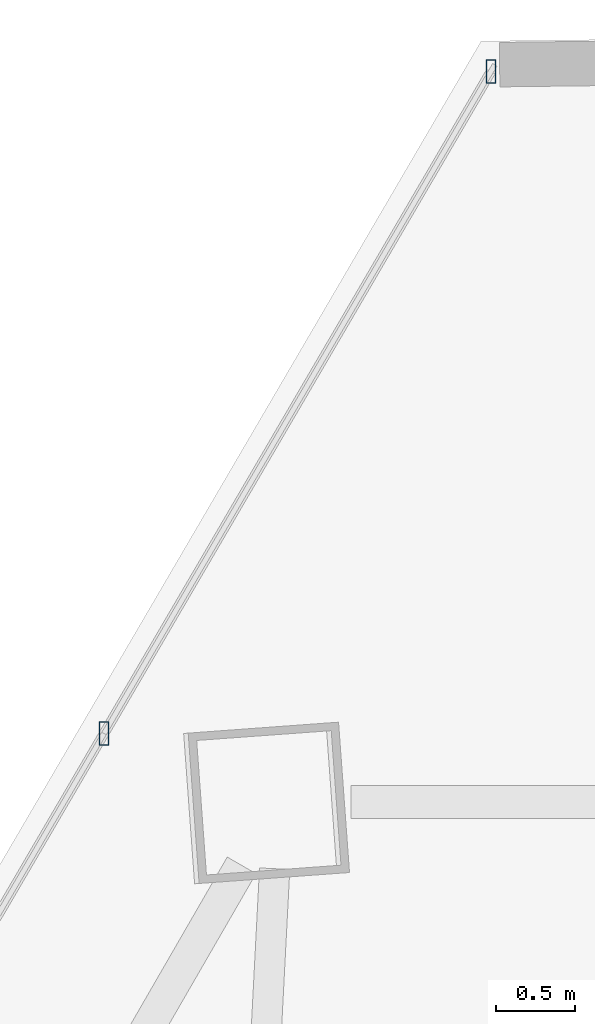
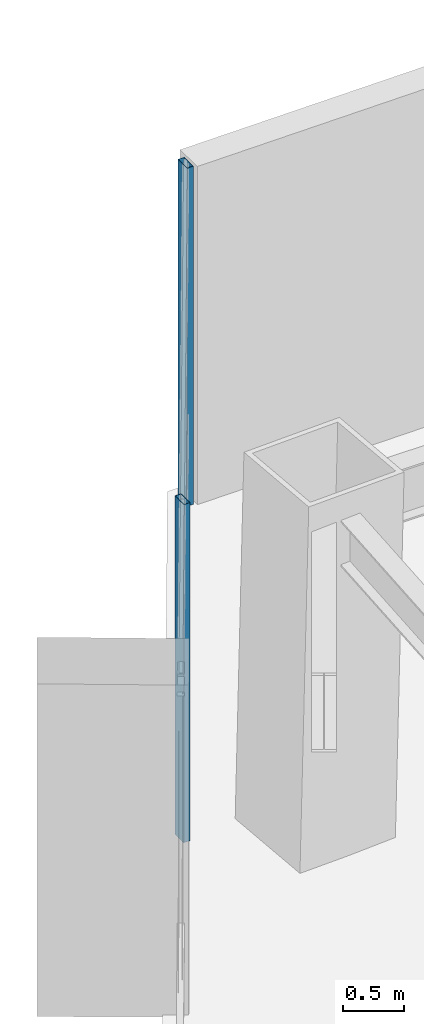
# One storey, part 28 of 41: 2 members, 1 element without a shape of its own.
"""IFC4 building model written with IfcOpenShell, lengths in metres."""

from ifc_helpers import new_model, si_unit, direction, frame, origin, origin_2d, place, context, subcontext, project, spatial, hollow_rectangle, extrude, source, transform, mapped, material, material_profile, profile_set, type_object, type_shapes, element, aggregate, save


model = new_model("IFC4")

# Units and contexts
model_context = context("Model", 3, precision=1e-05, world=origin(), true_north=direction((0.0, 1.0)))
body_context = subcontext(model_context, "Body", "Model", "MODEL_VIEW")
ifc_project = project(units=[si_unit("LENGTHUNIT", "METRE"), si_unit("AREAUNIT", "SQUARE_METRE"), si_unit("VOLUMEUNIT", "CUBIC_METRE"), si_unit("PLANEANGLEUNIT", "RADIAN"), si_unit("MASSUNIT", "GRAM", prefix="KILO")], contexts=[model_context])

# Site, building, storey
site_placement = place(None, origin())
site = spatial("IfcSite", under=ifc_project, at=site_placement, CompositionType="ELEMENT")
building_placement = place(site_placement, origin())
building = spatial("IfcBuilding", under=site, at=building_placement, Name="Caelisora Broadcast Tower", CompositionType="ELEMENT")
storey_placement = place(building_placement, frame((0.0, 0.0, 135.449951171875)))
storey = spatial("IfcBuildingStorey", under=building, at=storey_placement, Name="L35", CompositionType="ELEMENT", Elevation=135.449951171875)

# Curtain wall, members
ifc_material_1 = material(Name="Unitised Aluminium and Low-E Glass Curtain Wall", Category="glass")
curtain_wall_type = type_object("IfcCurtainWallType", Name="CW-Z3", PredefinedType="NOTDEFINED", material=ifc_material_1)
curtain_wall_placement = place(storey_placement, origin())
curtain_wall = element("IfcCurtainWall", 1, at=curtain_wall_placement, inside=storey, type_object=curtain_wall_type, Name="L35 curtain wall CW-Z3", PredefinedType="NOTDEFINED")
ifc_material_2 = material(Name="Aluminium 6063-T6 Anodised Terracotta Bronze", Category="aluminium")
ifc_material_profile = material_profile(ifc_material_2, hollow_rectangle(XDim=0.06005859375, YDim=0.14990234375, WallThickness=0.00341796875, at=origin_2d()), Name="Aluminium 6063-T6 Anodised Terracotta Bronze")
ifc_profile_set = profile_set([ifc_material_profile], Name="Aluminium 6063-T6 Anodised Terracotta Bronze")
member_type = type_object("IfcMemberType", Name="CWM-03", PredefinedType="MULLION", material=ifc_profile_set)
shared_shape = source(origin(), body_context, "Body", "SweptSolid", [
    extrude(hollow_rectangle(XDim=0.06005859375, YDim=0.14990234375, WallThickness=0.00341796875, at=origin_2d()), origin(), (0.0, 0.0, 1.0), 3.400146484375),
])
type_shapes(member_type, [shared_shape])
member_1_placement = place(storey_placement, frame((30.255126953125, 46.900634765625, 0.0), z_axis=(0.0, 0.0, 1.0), x_axis=(1.0, 0.0, 0.0)))
member_1 = element("IfcMember", 2, at=member_1_placement, type_object=member_type, Name="L35-CW-B11 mullion #2", PredefinedType="MULLION", context=body_context, shape_type="MappedRepresentation", body=[
    mapped(shared_shape, transform((0.0, 0.0, 0.0), scale=1.0)),
])
member_2_placement = place(storey_placement, frame((32.69287109375, 51.07177734375, 0.0), z_axis=(0.0, 0.0, 1.0), x_axis=(1.0, 0.0, 0.0)))
member_2 = element("IfcMember", 3, at=member_2_placement, type_object=member_type, Name="L35-CW-B11 mullion #3", PredefinedType="MULLION", context=body_context, shape_type="MappedRepresentation", body=[
    mapped(shared_shape, transform((0.0, 0.0, 0.0), scale=1.0)),
])
aggregate(curtain_wall, [member_1, member_2])

save(model, "model.ifc")
